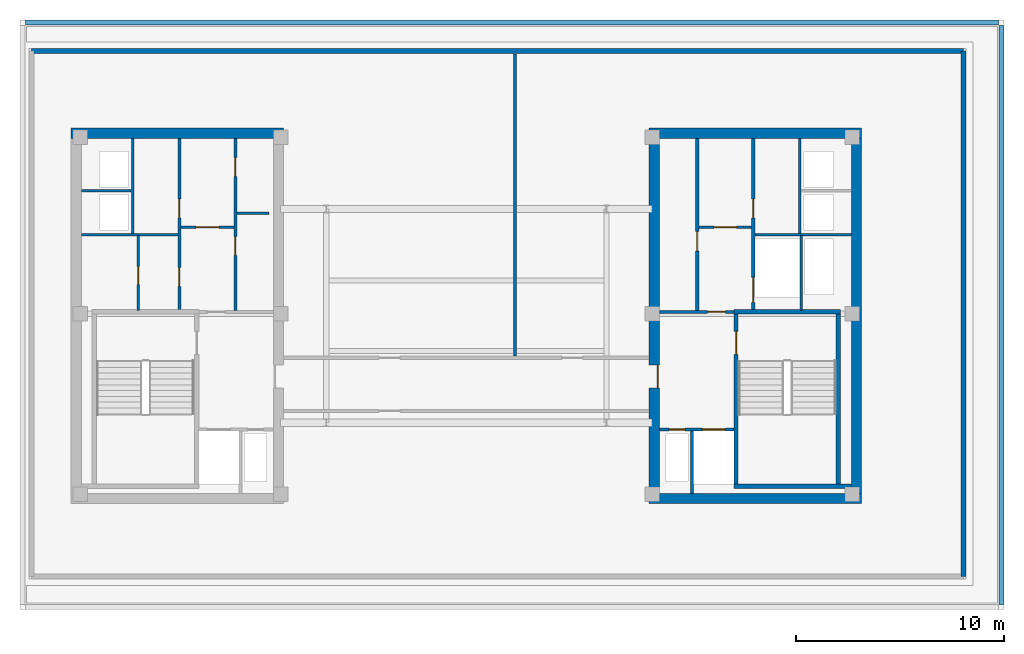
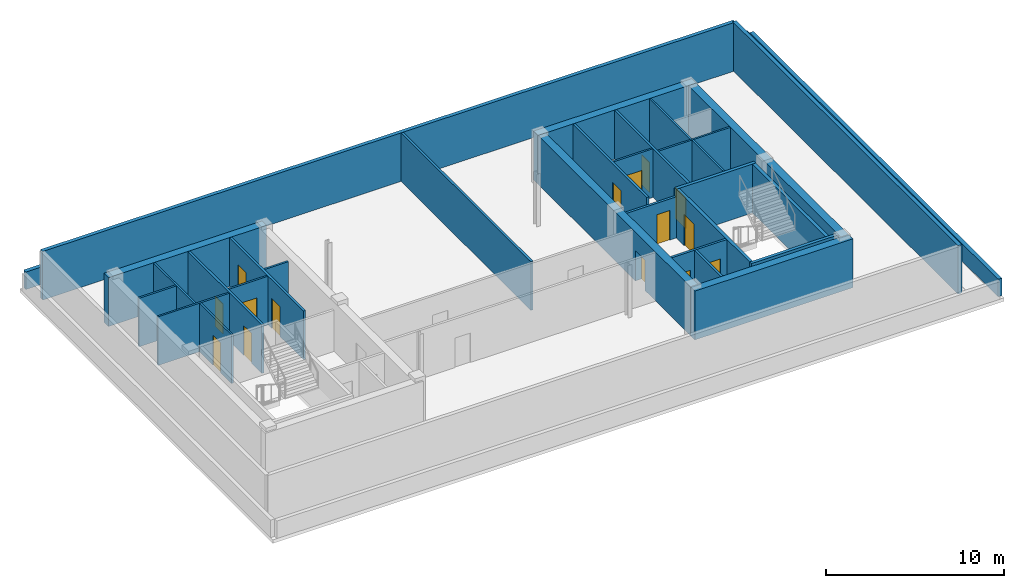
# One storey, part 3 of 7: 31 walls, 15 doors, 15 openings.
"""IFC4 building model written with IfcOpenShell, lengths in metres."""

from ifc_helpers import new_model, si_unit, direction, frame, frame_2d, origin, place, context, subcontext, project, spatial, rectangle, extrude, material, layer, layer_set, type_object, element, fill, save


model = new_model("IFC4")

# Units and contexts
model_context = context("Model", 3, precision=1e-05, world=origin(), true_north=direction((0.0, 1.0)))
body_context = subcontext(model_context, "Body", "Model", "MODEL_VIEW")
ifc_project = project(units=[si_unit("LENGTHUNIT", "METRE"), si_unit("AREAUNIT", "SQUARE_METRE"), si_unit("VOLUMEUNIT", "CUBIC_METRE"), si_unit("PLANEANGLEUNIT", "RADIAN"), si_unit("MASSUNIT", "GRAM", prefix="KILO")], contexts=[model_context])

# Site, building, storey
site_placement = place(None, origin())
site = spatial("IfcSite", under=ifc_project, at=site_placement, CompositionType="ELEMENT")
building_placement = place(site_placement, origin())
building = spatial("IfcBuilding", under=site, at=building_placement, Name="Velakula Bourse", CompositionType="ELEMENT")
storey_placement = place(building_placement, frame((0.0, 0.0, 294.14990234375)))
storey = spatial("IfcBuildingStorey", under=building, at=storey_placement, Name="L80", CompositionType="ELEMENT", Elevation=294.14990234375)

# Wall, opening, door
ifc_material_1 = material(Name="Concrete M50 (fck 50 MPa)", Category="concrete")
ifc_layer_1 = layer(ifc_material_1, 0.2099609375, Name="Concrete M50 (fck 50 MPa)", Category="concrete")
ifc_layer_set_1 = layer_set([ifc_layer_1], Name="Concrete M50 (fck 50 MPa)")
wall_type_1 = type_object("IfcWallType", Name="WL-CORE-210", PredefinedType="SHEAR", material=ifc_layer_set_1)
wall_1_placement = place(storey_placement, frame((12.9951171875, -8.10009765625, 0.0), z_axis=(0.0, 0.0, 1.0), x_axis=(0.0, 1.0, 0.0)))
wall_1 = element("IfcWall", 1, at=wall_1_placement, inside=storey, type_object=wall_type_1, Name="L80 Core E Stairwell Shear Wall IN", PredefinedType="SHEAR", context=body_context, shape_type="SweptSolid", body=[
    extrude(rectangle(XDim=8.2001953125, YDim=0.2099609375, at=frame_2d((4.10009765625, 0.0))), origin(), (0.0, 0.0, 1.0), 3.35009765625),
])
opening_1_placement = place(wall_1_placement, frame((6.25, 0.0, 0.0)))
opening_1 = element("IfcOpeningElement", 2, at=opening_1_placement, cuts=wall_1, Name="Opening D-STE1", PredefinedType="OPENING", context=body_context, shape_type="SweptSolid", body=[
    extrude(rectangle(XDim=1.10009765625, YDim=2.14990234375, at=frame_2d((0.550048828125, 1.074951171875))), frame((0.0, 0.114990234375, 0.0), z_axis=(0.0, -1.0, 0.0), x_axis=(1.0, 0.0, 0.0)), (0.0, 0.0, 1.0), 0.22998046875),
])
ifc_material_2 = material(Name="Galvanised painted hollow steel fire door", Category="steel")
door_type_1 = type_object("IfcDoorType", Name="DR-FD120-1100x2150", OperationType="NOTDEFINED", PredefinedType="DOOR", material=ifc_material_2)
door_1_placement = place(opening_1_placement, origin())
door_1 = element("IfcDoor", 3, at=door_1_placement, inside=storey, type_object=door_type_1, Name="L80 Stair ST-E1 Fire Door", OperationType="SINGLE_SWING_RIGHT", OverallHeight=2.14990234375, OverallWidth=1.10009765625, PredefinedType="DOOR", context=body_context, shape_type="SweptSolid", body=[
    extrude(rectangle(XDim=1.10009765625, YDim=2.14990234375, at=frame_2d((0.550048828125, 1.074951171875))), frame((0.0, 0.02490234375, 0.0), z_axis=(0.0, -1.0, 0.0), x_axis=(1.0, 0.0, 0.0)), (0.0, 0.0, 1.0), 0.050048828125),
])
fill(opening_1, door_1)

# Walls
wall_2_placement = place(storey_placement, frame((17.925048828125, -8.10009765625, 0.0), z_axis=(0.0, 0.0, 1.0), x_axis=(0.0, 1.0, 0.0)))
element("IfcWall", 4, at=wall_2_placement, inside=storey, type_object=wall_type_1, Name="L80 Core E Stairwell Shear Wall OUT", PredefinedType="SHEAR", context=body_context, shape_type="SweptSolid", body=[
    extrude(rectangle(XDim=8.2001953125, YDim=0.2099609375, at=frame_2d((4.10009765625, 0.0))), origin(), (0.0, 0.0, 1.0), 3.35009765625),
])
wall_3_placement = place(storey_placement, frame((12.889892578125, -8.205078125, 0.0), z_axis=(0.0, 0.0, 1.0), x_axis=(1.0, 0.0, 0.0)))
element("IfcWall", 5, at=wall_3_placement, inside=storey, type_object=wall_type_1, Name="L80 Core E Stairwell Shear Wall S", PredefinedType="SHEAR", context=body_context, shape_type="SweptSolid", body=[
    extrude(rectangle(XDim=5.66015625, YDim=0.2099609375, at=frame_2d((2.830078125, 0.0))), origin(), (0.0, 0.0, 1.0), 3.35009765625),
])
wall_4_placement = place(storey_placement, frame((18.030029296875, 0.205078125, 0.0), z_axis=(0.0, 0.0, 1.0), x_axis=(-1.0, 0.0, 0.0)))
element("IfcWall", 6, at=wall_4_placement, inside=storey, type_object=wall_type_1, Name="L80 Core E Stairwell Shear Wall N", PredefinedType="SHEAR", context=body_context, shape_type="SweptSolid", body=[
    extrude(rectangle(XDim=5.14013671875, YDim=0.2099609375, at=frame_2d((2.570068359375, 0.0))), origin(), (0.0, 0.0, 1.0), 3.35009765625),
])
ifc_layer_2 = layer(ifc_material_1, 0.5, Name="Concrete M50 (fck 50 MPa)", Category="concrete")
ifc_layer_set_2 = layer_set([ifc_layer_2], Name="Concrete M50 (fck 50 MPa)")
wall_type_2 = type_object("IfcWallType", Name="WL-CORE-500", PredefinedType="SHEAR", material=ifc_layer_set_2)
for number, where, z_axis, x_axis, name in (
    (7, (-19.050048828125, 8.800048828125, 0.0), (0.0, 0.0, 1.0), (1.0, 0.0, 0.0), "L80 Core W Shear Wall N"),
    (8, (8.800048828125, -8.800048828125, 0.0), (0.0, 0.0, 1.0), (1.0, 0.0, 0.0), "L80 Core E Shear Wall S"),
    (9, (8.800048828125, 8.800048828125, 0.0), (0.0, 0.0, 1.0), (1.0, 0.0, 0.0), "L80 Core E Shear Wall N"),
):
    element("IfcWall", number, at=place(storey_placement, frame(where, z_axis=z_axis, x_axis=x_axis)), inside=storey, type_object=wall_type_2, Name=name, PredefinedType="SHEAR", context=body_context, shape_type="SweptSolid", body=[
        extrude(rectangle(XDim=10.25, YDim=0.5, at=frame_2d((5.125, 0.0))), origin(), (0.0, 0.0, 1.0), 3.35009765625),
    ])

# Wall, opening, door
wall_5_placement = place(storey_placement, frame((9.050048828125, -8.550048828125, 0.0), z_axis=(0.0, 0.0, 1.0), x_axis=(0.0, 1.0, 0.0)))
wall_5 = element("IfcWall", 10, at=wall_5_placement, inside=storey, type_object=wall_type_2, Name="L80 Core E Shear Wall W", PredefinedType="SHEAR", context=body_context, shape_type="SweptSolid", body=[
    extrude(rectangle(XDim=17.10009765625, YDim=0.5, at=frame_2d((8.550048828125, 0.0))), origin(), (0.0, 0.0, 1.0), 3.35009765625),
])
opening_2_placement = place(wall_5_placement, frame((5.080078125, 0.0, 0.0)))
opening_2 = element("IfcOpeningElement", 11, at=opening_2_placement, cuts=wall_5, Name="Opening D-FLE", PredefinedType="OPENING", context=body_context, shape_type="SweptSolid", body=[
    extrude(rectangle(XDim=1.10009765625, YDim=2.080078125, at=frame_2d((0.550048828125, 1.0400390625))), frame((0.0, 0.260009765625, 0.0), z_axis=(0.0, -1.0, 0.0), x_axis=(1.0, 0.0, 0.0)), (0.0, 0.0, 1.0), 0.52001953125),
])
door_type_2 = type_object("IfcDoorType", Name="DR-FD120-1100", OperationType="NOTDEFINED", PredefinedType="DOOR", material=ifc_material_2)
door_2_placement = place(opening_2_placement, origin())
door_2 = element("IfcDoor", 12, at=door_2_placement, inside=storey, type_object=door_type_2, Name="L80 Firefighting Lobby E Corridor Fire Door", OperationType="SINGLE_SWING_RIGHT", OverallHeight=2.080078125, OverallWidth=1.10009765625, PredefinedType="DOOR", context=body_context, shape_type="SweptSolid", body=[
    extrude(rectangle(XDim=1.10009765625, YDim=2.080078125, at=frame_2d((0.550048828125, 1.0400390625))), frame((0.0, -0.15478515625, 0.0), z_axis=(0.0, -1.0, 0.0), x_axis=(1.0, 0.0, 0.0)), (0.0, 0.0, 1.0), 0.050048828125),
])
fill(opening_2, door_2)

# Walls
wall_6_placement = place(storey_placement, frame((18.800048828125, -8.550048828125, 0.0), z_axis=(0.0, 0.0, 1.0), x_axis=(0.0, 1.0, 0.0)))
element("IfcWall", 13, at=wall_6_placement, inside=storey, type_object=wall_type_2, Name="L80 Core E Shear Wall E", PredefinedType="SHEAR", context=body_context, shape_type="SweptSolid", body=[
    extrude(rectangle(XDim=17.10009765625, YDim=0.5, at=frame_2d((8.550048828125, 0.0))), origin(), (0.0, 0.0, 1.0), 3.35009765625),
])
ifc_material_3 = material(Name="Buff kilned clay facing brick masonry", Category="masonry")
ifc_layer_3 = layer(ifc_material_3, 0.239990234375, Name="Buff kilned clay facing brick masonry", Category="masonry")
ifc_layer_set_3 = layer_set([ifc_layer_3], Name="Buff kilned clay facing brick masonry")
wall_type_3 = type_object("IfcWallType", Name="WL-EXT-CRN-240", PredefinedType="STANDARD", material=ifc_layer_set_3)
wall_7_placement = place(storey_placement, frame((23.9599609375, -12.56005859375, 0.0), z_axis=(0.0, 0.0, 1.0), x_axis=(0.0, 1.0, 0.0)))
element("IfcWall", 14, at=wall_7_placement, inside=storey, type_object=wall_type_3, Name="L80 Crown Brick Acoustic Wall E", PredefinedType="STANDARD", context=body_context, shape_type="SweptSolid", body=[
    extrude(rectangle(XDim=25.320068359375, YDim=0.239990234375, at=frame_2d((12.66015625, 0.0))), origin(), (0.0, 0.0, 1.0), 3.330078125),
])
wall_8_placement = place(storey_placement, frame((23.9599609375, 12.760009765625, 0.0), z_axis=(0.0, 0.0, 1.0), x_axis=(-1.0, 0.0, 0.0)))
element("IfcWall", 15, at=wall_8_placement, inside=storey, type_object=wall_type_3, Name="L80 Crown Brick Acoustic Wall N", PredefinedType="STANDARD", context=body_context, shape_type="SweptSolid", body=[
    extrude(rectangle(XDim=44.919921875, YDim=0.239990234375, at=frame_2d((22.4599609375, 0.0))), origin(), (0.0, 0.0, 1.0), 3.330078125),
])
ifc_layer_4 = layer(ifc_material_3, 0.25, Name="Buff kilned clay facing brick masonry", Category="masonry")
ifc_layer_set_4 = layer_set([ifc_layer_4], Name="Buff kilned clay facing brick masonry")
wall_type_4 = type_object("IfcWallType", Name="WL-PAR-ROOF-250", PredefinedType="PARAPET", material=ifc_layer_set_4)
wall_9_placement = place(storey_placement, frame((-21.25, 14.1298828125, 0.0), z_axis=(0.0, 0.0, 1.0), x_axis=(1.0, 0.0, 0.0)))
element("IfcWall", 16, at=wall_9_placement, inside=storey, type_object=wall_type_4, Name="L80 Closed Roof Perimeter Parapet 1", PredefinedType="PARAPET", context=body_context, shape_type="SweptSolid", body=[
    extrude(rectangle(XDim=46.89990234375, YDim=0.25, at=frame_2d((23.449951171875, 0.0))), origin(), (0.0, 0.0, 1.0), 1.2001953125),
])
wall_10_placement = place(storey_placement, frame((25.780029296875, 14.0, 0.0), z_axis=(0.0, 0.0, 1.0), x_axis=(0.0, -1.0, 0.0)))
element("IfcWall", 17, at=wall_10_placement, inside=storey, type_object=wall_type_4, Name="L80 Closed Roof Perimeter Parapet 2", PredefinedType="PARAPET", context=body_context, shape_type="SweptSolid", body=[
    extrude(rectangle(XDim=27.89990234375, YDim=0.25, at=frame_2d((13.949951171875, 0.0))), origin(), (0.0, 0.0, 1.0), 1.2001953125),
])

# Wall, opening, door
ifc_material_4 = material(Name="Fire-rated double-layer gypsum drywall partition", Category="gypsum")
ifc_layer_5 = layer(ifc_material_4, 0.1201171875, Name="Fire-rated double-layer gypsum drywall partition", Category="gypsum")
ifc_layer_set_5 = layer_set([ifc_layer_5], Name="Fire-rated double-layer gypsum drywall partition")
wall_type_5 = type_object("IfcWallType", Name="WL-PART-120", PredefinedType="STANDARD", material=ifc_layer_set_5)
wall_11_placement = place(storey_placement, frame((-13.75, 4.280029296875, 0.0), z_axis=(0.0, 0.0, 1.0), x_axis=(1.0, 0.0, 0.0)))
wall_11 = element("IfcWall", 18, at=wall_11_placement, inside=storey, type_object=wall_type_5, Name="L80 Interior Partition WL-CRW-L80-LL-K2", PredefinedType="STANDARD", context=body_context, shape_type="SweptSolid", body=[
    extrude(rectangle(XDim=2.550048828125, YDim=0.1201171875, at=frame_2d((1.27490234375, 0.0))), origin(), (0.0, 0.0, 1.0), 3.330078125),
])
opening_3_placement = place(wall_11_placement, frame((0.72509765625, 0.0, 0.0)))
opening_3 = element("IfcOpeningElement", 19, at=opening_3_placement, cuts=wall_11, Name="Opening D-LK2", PredefinedType="OPENING", context=body_context, shape_type="SweptSolid", body=[
    extrude(rectangle(XDim=1.10009765625, YDim=2.10009765625, at=frame_2d((0.550048828125, 1.050048828125))), frame((0.0, 0.070068359375, 0.0), z_axis=(0.0, -1.0, 0.0), x_axis=(1.0, 0.0, 0.0)), (0.0, 0.0, 1.0), 0.14013671875),
])
ifc_material_5 = material(Name="Fire-rated hardwood flush architectural door", Category="wood")
door_type_3 = type_object("IfcDoorType", Name="DR-FD60-1100x2100", OperationType="NOTDEFINED", PredefinedType="DOOR", material=ifc_material_5)
door_3_placement = place(opening_3_placement, origin())
door_3 = element("IfcDoor", 20, at=door_3_placement, inside=storey, type_object=door_type_3, Name="L80 Core W Lift Lobby Zone Door", OperationType="SINGLE_SWING_LEFT", OverallHeight=2.10009765625, OverallWidth=1.10009765625, PredefinedType="DOOR", context=body_context, shape_type="SweptSolid", body=[
    extrude(rectangle(XDim=1.10009765625, YDim=2.10009765625, at=frame_2d((0.550048828125, 1.050048828125))), frame((0.0, 0.02490234375, 0.0), z_axis=(0.0, -1.0, 0.0), x_axis=(1.0, 0.0, 0.0)), (0.0, 0.0, 1.0), 0.050048828125),
])
fill(opening_3, door_3)

# Walls
wall_12_placement = place(storey_placement, frame((-11.050048828125, 4.949951171875, 0.0), z_axis=(0.0, 0.0, 1.0), x_axis=(1.0, 0.0, 0.0)))
element("IfcWall", 21, at=wall_12_placement, inside=storey, type_object=wall_type_5, Name="L80 Interior Partition WL-CRW-L80-RCDIV", PredefinedType="STANDARD", context=body_context, shape_type="SweptSolid", body=[
    extrude(rectangle(XDim=1.550048828125, YDim=0.1201171875, at=frame_2d((0.77490234375, 0.0))), origin(), (0.0, 0.0, 1.0), 3.330078125),
])
wall_13_placement = place(storey_placement, frame((-18.550048828125, 3.919921875, 0.0), z_axis=(0.0, 0.0, 1.0), x_axis=(1.0, 0.0, 0.0)))
element("IfcWall", 22, at=wall_13_placement, inside=storey, type_object=wall_type_5, Name="L80 Interior Partition WL-CRW-L80-HI-S", PredefinedType="STANDARD", context=body_context, shape_type="SweptSolid", body=[
    extrude(rectangle(XDim=4.650146484375, YDim=0.1201171875, at=frame_2d((2.3251953125, 0.0))), origin(), (0.0, 0.0, 1.0), 3.330078125),
])
wall_14_placement = place(storey_placement, frame((-18.550048828125, 6.030029296875, 0.0), z_axis=(0.0, 0.0, 1.0), x_axis=(1.0, 0.0, 0.0)))
element("IfcWall", 23, at=wall_14_placement, inside=storey, type_object=wall_type_5, Name="L80 Interior Partition WL-CRW-L80-RIS-MID", PredefinedType="STANDARD", context=body_context, shape_type="SweptSolid", body=[
    extrude(rectangle(XDim=2.400146484375, YDim=0.1201171875, at=frame_2d((1.2001953125, 0.0))), origin(), (0.0, 0.0, 1.0), 3.330078125),
])
wall_15_placement = place(storey_placement, frame((-16.074951171875, 3.97998046875, 0.0), z_axis=(0.0, 0.0, 1.0), x_axis=(0.0, 1.0, 0.0)))
element("IfcWall", 24, at=wall_15_placement, inside=storey, type_object=wall_type_5, Name="L80 Interior Partition WL-CRW-L80-RIS-F", PredefinedType="STANDARD", context=body_context, shape_type="SweptSolid", body=[
    extrude(rectangle(XDim=4.570068359375, YDim=0.1201171875, at=frame_2d((2.28515625, 0.0))), origin(), (0.0, 0.0, 1.0), 3.330078125),
])

# Wall, opening, door
wall_16_placement = place(storey_placement, frame((-15.800048828125, 0.27001953125, 0.0), z_axis=(0.0, 0.0, 1.0), x_axis=(0.0, 1.0, 0.0)))
wall_16 = element("IfcWall", 25, at=wall_16_placement, inside=storey, type_object=wall_type_5, Name="L80 Interior Partition WL-CRW-L80-K2", PredefinedType="STANDARD", context=body_context, shape_type="SweptSolid", body=[
    extrude(rectangle(XDim=3.590087890625, YDim=0.1201171875, at=frame_2d((1.794921875, 0.0))), origin(), (0.0, 0.0, 1.0), 3.330078125),
])
opening_4_placement = place(wall_16_placement, frame((1.25, 0.0, 0.0)))
opening_4 = element("IfcOpeningElement", 26, at=opening_4_placement, cuts=wall_16, Name="Opening D-CE1", PredefinedType="OPENING", context=body_context, shape_type="SweptSolid", body=[
    extrude(rectangle(XDim=0.85009765625, YDim=2.050048828125, at=frame_2d((0.425048828125, 1.02490234375))), frame((0.0, 0.070068359375, 0.0), z_axis=(0.0, -1.0, 0.0), x_axis=(1.0, 0.0, 0.0)), (0.0, 0.0, 1.0), 0.14013671875),
])
door_type_4 = type_object("IfcDoorType", Name="DR-INT-850", OperationType="NOTDEFINED", PredefinedType="DOOR", material=ifc_material_5)
door_4_placement = place(opening_4_placement, origin())
door_4 = element("IfcDoor", 27, at=door_4_placement, inside=storey, type_object=door_type_4, Name="L80 Core Equipment Store Door", OperationType="SINGLE_SWING_RIGHT", OverallHeight=2.050048828125, OverallWidth=0.85009765625, PredefinedType="DOOR", context=body_context, shape_type="SweptSolid", body=[
    extrude(rectangle(XDim=0.85009765625, YDim=2.050048828125, at=frame_2d((0.425048828125, 1.02490234375))), frame((0.0, 0.02490234375, 0.0), z_axis=(0.0, -1.0, 0.0), x_axis=(1.0, 0.0, 0.0)), (0.0, 0.0, 1.0), 0.050048828125),
])
fill(opening_4, door_4)

wall_17_placement = place(storey_placement, frame((11.199951171875, 4.280029296875, 0.0), z_axis=(0.0, 0.0, 1.0), x_axis=(1.0, 0.0, 0.0)))
wall_17 = element("IfcWall", 28, at=wall_17_placement, inside=storey, type_object=wall_type_5, Name="L80 Interior Partition WL-CRE-L80-LL-K2", PredefinedType="STANDARD", context=body_context, shape_type="SweptSolid", body=[
    extrude(rectangle(XDim=2.550048828125, YDim=0.1201171875, at=frame_2d((1.27490234375, 0.0))), origin(), (0.0, 0.0, 1.0), 3.330078125),
])
opening_5_placement = place(wall_17_placement, frame((0.72509765625, 0.0, 0.0)))
opening_5 = element("IfcOpeningElement", 29, at=opening_5_placement, cuts=wall_17, Name="Opening D-LK2", PredefinedType="OPENING", context=body_context, shape_type="SweptSolid", body=[
    extrude(rectangle(XDim=1.10009765625, YDim=2.10009765625, at=frame_2d((0.550048828125, 1.050048828125))), frame((0.0, 0.070068359375, 0.0), z_axis=(0.0, -1.0, 0.0), x_axis=(1.0, 0.0, 0.0)), (0.0, 0.0, 1.0), 0.14013671875),
])
door_5_placement = place(opening_5_placement, origin())
door_5 = element("IfcDoor", 30, at=door_5_placement, inside=storey, type_object=door_type_3, Name="L80 Core E Lift Lobby Zone Door", OperationType="SINGLE_SWING_LEFT", OverallHeight=2.10009765625, OverallWidth=1.10009765625, PredefinedType="DOOR", context=body_context, shape_type="SweptSolid", body=[
    extrude(rectangle(XDim=1.10009765625, YDim=2.10009765625, at=frame_2d((0.550048828125, 1.050048828125))), frame((0.0, 0.02490234375, 0.0), z_axis=(0.0, -1.0, 0.0), x_axis=(1.0, 0.0, 0.0)), (0.0, 0.0, 1.0), 0.050048828125),
])
fill(opening_5, door_5)

# Walls
wall_18_placement = place(storey_placement, frame((13.89990234375, 3.919921875, 0.0), z_axis=(0.0, 0.0, 1.0), x_axis=(1.0, 0.0, 0.0)))
element("IfcWall", 31, at=wall_18_placement, inside=storey, type_object=wall_type_5, Name="L80 Interior Partition WL-CRE-L80-HI-S", PredefinedType="STANDARD", context=body_context, shape_type="SweptSolid", body=[
    extrude(rectangle(XDim=4.650146484375, YDim=0.1201171875, at=frame_2d((2.3251953125, 0.0))), origin(), (0.0, 0.0, 1.0), 3.330078125),
])
wall_19_placement = place(storey_placement, frame((16.074951171875, 3.97998046875, 0.0), z_axis=(0.0, 0.0, 1.0), x_axis=(0.0, 1.0, 0.0)))
element("IfcWall", 32, at=wall_19_placement, inside=storey, type_object=wall_type_5, Name="L80 Interior Partition WL-CRE-L80-RIS-F", PredefinedType="STANDARD", context=body_context, shape_type="SweptSolid", body=[
    extrude(rectangle(XDim=4.570068359375, YDim=0.1201171875, at=frame_2d((2.28515625, 0.0))), origin(), (0.0, 0.0, 1.0), 3.330078125),
])
wall_20_placement = place(storey_placement, frame((16.125, 0.27001953125, 0.0), z_axis=(0.0, 0.0, 1.0), x_axis=(0.0, 1.0, 0.0)))
element("IfcWall", 33, at=wall_20_placement, inside=storey, type_object=wall_type_5, Name="L80 Interior Partition WL-CRE-L80-SVL-E", PredefinedType="STANDARD", context=body_context, shape_type="SweptSolid", body=[
    extrude(rectangle(XDim=3.590087890625, YDim=0.1201171875, at=frame_2d((1.794921875, 0.0))), origin(), (0.0, 0.0, 1.0), 3.330078125),
])

# Wall, openings, doors
ifc_material_6 = material(Name="Autoclaved aerated concrete blockwork masonry", Category="masonry")
ifc_layer_6 = layer(ifc_material_6, 0.14990234375, Name="Autoclaved aerated concrete blockwork masonry", Category="masonry")
ifc_layer_set_6 = layer_set([ifc_layer_6], Name="Autoclaved aerated concrete blockwork masonry")
wall_type_6 = type_object("IfcWallType", Name="WL-SHAFT-150", PredefinedType="STANDARD", material=ifc_layer_set_6)
wall_21_placement = place(storey_placement, frame((-11.125, 0.27001953125, 0.0), z_axis=(0.0, 0.0, 1.0), x_axis=(0.0, 1.0, 0.0)))
wall_21 = element("IfcWall", 34, at=wall_21_placement, inside=storey, type_object=wall_type_6, Name="L80 Interior Partition WL-CRW-L80-BANK-F", PredefinedType="STANDARD", context=body_context, shape_type="SweptSolid", body=[
    extrude(rectangle(XDim=8.280029296875, YDim=0.14990234375, at=frame_2d((4.14013671875, 0.0))), origin(), (0.0, 0.0, 1.0), 3.330078125),
])
opening_6_placement = place(wall_21_placement, frame((2.64990234375, 0.0, 0.0)))
opening_6 = element("IfcOpeningElement", 35, at=opening_6_placement, cuts=wall_21, Name="Opening D-RC1", PredefinedType="OPENING", context=body_context, shape_type="SweptSolid", body=[
    extrude(rectangle(XDim=0.89990234375, YDim=2.050048828125, at=frame_2d((0.449951171875, 1.02490234375))), frame((0.0, 0.0849609375, 0.0), z_axis=(0.0, -1.0, 0.0), x_axis=(1.0, 0.0, 0.0)), (0.0, 0.0, 1.0), 0.169921875),
])
opening_7_placement = place(wall_21_placement, frame((6.449951171875, 0.0, 0.0)))
opening_7 = element("IfcOpeningElement", 36, at=opening_7_placement, cuts=wall_21, Name="Opening D-RC1", PredefinedType="OPENING", context=body_context, shape_type="SweptSolid", body=[
    extrude(rectangle(XDim=0.89990234375, YDim=2.050048828125, at=frame_2d((0.449951171875, 1.02490234375))), frame((0.0, 0.0849609375, 0.0), z_axis=(0.0, -1.0, 0.0), x_axis=(1.0, 0.0, 0.0)), (0.0, 0.0, 1.0), 0.169921875),
])
door_type_5 = type_object("IfcDoorType", Name="DR-FD60-900", OperationType="NOTDEFINED", PredefinedType="DOOR", material=ifc_material_5)
door_6_placement = place(opening_6_placement, origin())
door_6 = element("IfcDoor", 37, at=door_6_placement, inside=storey, type_object=door_type_5, Name="L80 Reclaimed Archive Room Door", OperationType="SINGLE_SWING_RIGHT", OverallHeight=2.050048828125, OverallWidth=0.89990234375, PredefinedType="DOOR", context=body_context, shape_type="SweptSolid", body=[
    extrude(rectangle(XDim=0.89990234375, YDim=2.050048828125, at=frame_2d((0.449951171875, 1.02490234375))), frame((0.0, 0.02490234375, 0.0), z_axis=(0.0, -1.0, 0.0), x_axis=(1.0, 0.0, 0.0)), (0.0, 0.0, 1.0), 0.050048828125),
])
fill(opening_6, door_6)
door_7_placement = place(opening_7_placement, origin())
door_7 = element("IfcDoor", 38, at=door_7_placement, inside=storey, type_object=door_type_5, Name="L80 Reclaimed Registry Store Door", OperationType="SINGLE_SWING_LEFT", OverallHeight=2.050048828125, OverallWidth=0.89990234375, PredefinedType="DOOR", context=body_context, shape_type="SweptSolid", body=[
    extrude(rectangle(XDim=0.89990234375, YDim=2.050048828125, at=frame_2d((0.449951171875, 1.02490234375))), frame((0.0, 0.02490234375, 0.0), z_axis=(0.0, -1.0, 0.0), x_axis=(1.0, 0.0, 0.0)), (0.0, 0.0, 1.0), 0.050048828125),
])
fill(opening_7, door_7)

wall_22_placement = place(storey_placement, frame((-13.824951171875, 0.27001953125, 0.0), z_axis=(0.0, 0.0, 1.0), x_axis=(0.0, 1.0, 0.0)))
wall_22 = element("IfcWall", 39, at=wall_22_placement, inside=storey, type_object=wall_type_6, Name="L80 Interior Partition WL-CRW-L80-OUT-F", PredefinedType="STANDARD", context=body_context, shape_type="SweptSolid", body=[
    extrude(rectangle(XDim=8.280029296875, YDim=0.14990234375, at=frame_2d((4.14013671875, 0.0))), origin(), (0.0, 0.0, 1.0), 3.330078125),
])
opening_8_placement = place(wall_22_placement, frame((4.449951171875, 0.0, 0.0)))
opening_8 = element("IfcOpeningElement", 40, at=opening_8_placement, cuts=wall_22, Name="Opening D-RC3", PredefinedType="OPENING", context=body_context, shape_type="SweptSolid", body=[
    extrude(rectangle(XDim=0.89990234375, YDim=2.050048828125, at=frame_2d((0.449951171875, 1.02490234375))), frame((0.0, 0.0849609375, 0.0), z_axis=(0.0, -1.0, 0.0), x_axis=(1.0, 0.0, 0.0)), (0.0, 0.0, 1.0), 0.169921875),
])
opening_9_placement = place(wall_22_placement, frame((1.14990234375, 0.0, 0.0)))
opening_9 = element("IfcOpeningElement", 41, at=opening_9_placement, cuts=wall_22, Name="Opening D-CP1", PredefinedType="OPENING", context=body_context, shape_type="SweptSolid", body=[
    extrude(rectangle(XDim=0.89990234375, YDim=2.050048828125, at=frame_2d((0.449951171875, 1.02490234375))), frame((0.0, 0.0849609375, 0.0), z_axis=(0.0, -1.0, 0.0), x_axis=(1.0, 0.0, 0.0)), (0.0, 0.0, 1.0), 0.169921875),
])
door_8_placement = place(opening_8_placement, origin())
door_8 = element("IfcDoor", 42, at=door_8_placement, inside=storey, type_object=door_type_5, Name="L80 Crown Lift Machine Plant Room Door", OperationType="SINGLE_SWING_RIGHT", OverallHeight=2.050048828125, OverallWidth=0.89990234375, PredefinedType="DOOR", context=body_context, shape_type="SweptSolid", body=[
    extrude(rectangle(XDim=0.89990234375, YDim=2.050048828125, at=frame_2d((0.449951171875, 1.02490234375))), frame((0.0, 0.02490234375, 0.0), z_axis=(0.0, -1.0, 0.0), x_axis=(1.0, 0.0, 0.0)), (0.0, 0.0, 1.0), 0.050048828125),
])
fill(opening_8, door_8)
door_type_6 = type_object("IfcDoorType", Name="DR-INT-900", OperationType="NOTDEFINED", PredefinedType="DOOR", material=ifc_material_5)
door_9_placement = place(opening_9_placement, origin())
door_9 = element("IfcDoor", 43, at=door_9_placement, inside=storey, type_object=door_type_6, Name="L80 Core Tea Pantry Door", OperationType="SINGLE_SWING_LEFT", OverallHeight=2.050048828125, OverallWidth=0.89990234375, PredefinedType="DOOR", context=body_context, shape_type="SweptSolid", body=[
    extrude(rectangle(XDim=0.89990234375, YDim=2.050048828125, at=frame_2d((0.449951171875, 1.02490234375))), frame((0.0, 0.02490234375, 0.0), z_axis=(0.0, -1.0, 0.0), x_axis=(1.0, 0.0, 0.0)), (0.0, 0.0, 1.0), 0.050048828125),
])
fill(opening_9, door_9)

wall_23_placement = place(storey_placement, frame((9.300048828125, -5.47509765625, 0.0), z_axis=(0.0, 0.0, 1.0), x_axis=(1.0, 0.0, 0.0)))
wall_23 = element("IfcWall", 44, at=wall_23_placement, inside=storey, type_object=wall_type_6, Name="L80 Interior Partition WL-CRE-L80-FFL-N", PredefinedType="STANDARD", context=body_context, shape_type="SweptSolid", body=[
    extrude(rectangle(XDim=3.594970703125, YDim=0.14990234375, at=frame_2d((1.79736328125, 0.0))), origin(), (0.0, 0.0, 1.0), 3.330078125),
])
opening_10_placement = place(wall_23_placement, frame((2.074951171875, 0.0, 0.0)))
opening_10 = element("IfcOpeningElement", 45, at=opening_10_placement, cuts=wall_23, Name="Opening LD-FFL-2", PredefinedType="OPENING", context=body_context, shape_type="SweptSolid", body=[
    extrude(rectangle(XDim=1.10009765625, YDim=2.14990234375, at=frame_2d((0.550048828125, 1.074951171875))), frame((0.0, 0.0849609375, 0.0), z_axis=(0.0, -1.0, 0.0), x_axis=(1.0, 0.0, 0.0)), (0.0, 0.0, 1.0), 0.169921875),
])
opening_11_placement = place(wall_23_placement, frame((0.47509765625, 0.0, 0.0)))
opening_11 = element("IfcOpeningElement", 46, at=opening_11_placement, cuts=wall_23, Name="Opening D-RS1", PredefinedType="OPENING", context=body_context, shape_type="SweptSolid", body=[
    extrude(rectangle(XDim=0.75, YDim=2.050048828125, at=frame_2d((0.375, 1.02490234375))), frame((0.0, 0.0849609375, 0.0), z_axis=(0.0, -1.0, 0.0), x_axis=(1.0, 0.0, 0.0)), (0.0, 0.0, 1.0), 0.169921875),
])
door_type_7 = type_object("IfcDoorType", Name="DR-RISER-800", OperationType="NOTDEFINED", PredefinedType="DOOR", material=ifc_material_2)
door_10_placement = place(opening_11_placement, origin())
door_10 = element("IfcDoor", 47, at=door_10_placement, inside=storey, type_object=door_type_7, Name="L80 Fire Riser Access Door", OperationType="SINGLE_SWING_LEFT", OverallHeight=2.050048828125, OverallWidth=0.75, PredefinedType="DOOR", context=body_context, shape_type="SweptSolid", body=[
    extrude(rectangle(XDim=0.75, YDim=2.050048828125, at=frame_2d((0.375, 1.02490234375))), frame((0.0, 0.02490234375, 0.0), z_axis=(0.0, -1.0, 0.0), x_axis=(1.0, 0.0, 0.0)), (0.0, 0.0, 1.0), 0.050048828125),
])
fill(opening_11, door_10)
ifc_material_7 = material(Name="Brushed grade 316 stainless steel", Category="steel")
door_type_8 = type_object("IfcDoorType", Name="DR-SLIDE-FFL-1100", OperationType="DOUBLE_DOOR_SLIDING", PredefinedType="DOOR", material=ifc_material_7)
door_11_placement = place(opening_10_placement, origin())
door_11 = element("IfcDoor", 48, at=door_11_placement, inside=storey, type_object=door_type_8, Name="L80 Firefighting Lift FFL-2 Sliding Landing Door", OperationType="DOUBLE_DOOR_SLIDING", OverallHeight=2.14990234375, OverallWidth=1.10009765625, PredefinedType="DOOR", context=body_context, shape_type="SweptSolid", body=[
    extrude(rectangle(XDim=1.10009765625, YDim=2.14990234375, at=frame_2d((0.550048828125, 1.074951171875))), frame((0.0, 0.02490234375, 0.0), z_axis=(0.0, -1.0, 0.0), x_axis=(1.0, 0.0, 0.0)), (0.0, 0.0, 1.0), 0.050048828125),
])
fill(opening_10, door_11)

# Wall
wall_24_placement = place(storey_placement, frame((10.875, -8.550048828125, 0.0), z_axis=(0.0, 0.0, 1.0), x_axis=(0.0, 1.0, 0.0)))
element("IfcWall", 49, at=wall_24_placement, inside=storey, type_object=wall_type_6, Name="L80 Interior Partition WL-CRE-L80-FR-DIV", PredefinedType="STANDARD", context=body_context, shape_type="SweptSolid", body=[
    extrude(rectangle(XDim=3.0, YDim=0.14990234375, at=frame_2d((1.5, 0.0))), origin(), (0.0, 0.0, 1.0), 3.330078125),
])

# Wall, opening, door
wall_25_placement = place(storey_placement, frame((9.300048828125, 0.18994140625, 0.0), z_axis=(0.0, 0.0, 1.0), x_axis=(1.0, 0.0, 0.0)))
wall_25 = element("IfcWall", 50, at=wall_25_placement, inside=storey, type_object=wall_type_6, Name="L80 Interior Partition WL-CRE-L80-FF-TOP", PredefinedType="STANDARD", context=body_context, shape_type="SweptSolid", body=[
    extrude(rectangle(XDim=3.58984375, YDim=0.14990234375, at=frame_2d((1.794921875, 0.0))), origin(), (0.0, 0.0, 1.0), 2.8251953125),
])
opening_12_placement = place(wall_25_placement, frame((2.324951171875, 0.0, 0.0)))
opening_12 = element("IfcOpeningElement", 51, at=opening_12_placement, cuts=wall_25, Name="Opening D-FC1", PredefinedType="OPENING", context=body_context, shape_type="SweptSolid", body=[
    extrude(rectangle(XDim=0.85009765625, YDim=2.0400390625, at=frame_2d((0.425048828125, 1.02001953125))), frame((0.0, 0.0849609375, 0.0), z_axis=(0.0, -1.0, 0.0), x_axis=(1.0, 0.0, 0.0)), (0.0, 0.0, 1.0), 0.169921875),
])
door_type_9 = type_object("IfcDoorType", Name="DR-FD120-850", OperationType="NOTDEFINED", PredefinedType="DOOR", material=ifc_material_2)
door_12_placement = place(opening_12_placement, origin())
door_12 = element("IfcDoor", 52, at=door_12_placement, inside=storey, type_object=door_type_9, Name="L80 Firefighting Lobby Link Fire Door", OperationType="SINGLE_SWING_LEFT", OverallHeight=2.0400390625, OverallWidth=0.85009765625, PredefinedType="DOOR", context=body_context, shape_type="SweptSolid", body=[
    extrude(rectangle(XDim=0.85009765625, YDim=2.0400390625, at=frame_2d((0.425048828125, 1.02001953125))), frame((0.0, 0.02490234375, 0.0), z_axis=(0.0, -1.0, 0.0), x_axis=(1.0, 0.0, 0.0)), (0.0, 0.0, 1.0), 0.050048828125),
])
fill(opening_12, door_12)

wall_26_placement = place(storey_placement, frame((11.125, 0.27001953125, 0.0), z_axis=(0.0, 0.0, 1.0), x_axis=(0.0, 1.0, 0.0)))
wall_26 = element("IfcWall", 53, at=wall_26_placement, inside=storey, type_object=wall_type_6, Name="L80 Interior Partition WL-CRE-L80-BANK-F", PredefinedType="STANDARD", context=body_context, shape_type="SweptSolid", body=[
    extrude(rectangle(XDim=8.280029296875, YDim=0.14990234375, at=frame_2d((4.14013671875, 0.0))), origin(), (0.0, 0.0, 1.0), 3.330078125),
])
opening_13_placement = place(wall_26_placement, frame((2.85009765625, 0.0, 0.0)))
opening_13 = element("IfcOpeningElement", 54, at=opening_13_placement, cuts=wall_26, Name="Opening D-RC5", PredefinedType="OPENING", context=body_context, shape_type="SweptSolid", body=[
    extrude(rectangle(XDim=0.949951171875, YDim=2.050048828125, at=frame_2d((0.47509765625, 1.02490234375))), frame((0.0, 0.0849609375, 0.0), z_axis=(0.0, -1.0, 0.0), x_axis=(1.0, 0.0, 0.0)), (0.0, 0.0, 1.0), 0.169921875),
])
door_type_10 = type_object("IfcDoorType", Name="DR-FD60-950x2050", OperationType="NOTDEFINED", PredefinedType="DOOR", material=ifc_material_5)
door_13_placement = place(opening_13_placement, origin())
door_13 = element("IfcDoor", 55, at=door_13_placement, inside=storey, type_object=door_type_10, Name="L80 Reclaimed Multi-Bay Depository Room Door", OperationType="SINGLE_SWING_RIGHT", OverallHeight=2.050048828125, OverallWidth=0.949951171875, PredefinedType="DOOR", context=body_context, shape_type="SweptSolid", body=[
    extrude(rectangle(XDim=0.949951171875, YDim=2.050048828125, at=frame_2d((0.47509765625, 1.02490234375))), frame((0.0, 0.02490234375, 0.0), z_axis=(0.0, -1.0, 0.0), x_axis=(1.0, 0.0, 0.0)), (0.0, 0.0, 1.0), 0.050048828125),
])
fill(opening_13, door_13)

# Wall, openings, doors
wall_27_placement = place(storey_placement, frame((13.824951171875, 0.27001953125, 0.0), z_axis=(0.0, 0.0, 1.0), x_axis=(0.0, 1.0, 0.0)))
wall_27 = element("IfcWall", 56, at=wall_27_placement, inside=storey, type_object=wall_type_6, Name="L80 Interior Partition WL-CRE-L80-OUT-F", PredefinedType="STANDARD", context=body_context, shape_type="SweptSolid", body=[
    extrude(rectangle(XDim=8.280029296875, YDim=0.14990234375, at=frame_2d((4.14013671875, 0.0))), origin(), (0.0, 0.0, 1.0), 3.330078125),
])
opening_14_placement = place(wall_27_placement, frame((4.449951171875, 0.0, 0.0)))
opening_14 = element("IfcOpeningElement", 57, at=opening_14_placement, cuts=wall_27, Name="Opening D-RC3", PredefinedType="OPENING", context=body_context, shape_type="SweptSolid", body=[
    extrude(rectangle(XDim=0.89990234375, YDim=2.050048828125, at=frame_2d((0.449951171875, 1.02490234375))), frame((0.0, 0.0849609375, 0.0), z_axis=(0.0, -1.0, 0.0), x_axis=(1.0, 0.0, 0.0)), (0.0, 0.0, 1.0), 0.169921875),
])
opening_15_placement = place(wall_27_placement, frame((0.3798828125, 0.0, 0.0)))
opening_15 = element("IfcOpeningElement", 58, at=opening_15_placement, cuts=wall_27, Name="Opening LD-SVL1", PredefinedType="OPENING", context=body_context, shape_type="SweptSolid", body=[
    extrude(rectangle(XDim=1.199951171875, YDim=2.10009765625, at=frame_2d((0.60009765625, 1.050048828125))), frame((0.0, 0.0849609375, 0.0), z_axis=(0.0, -1.0, 0.0), x_axis=(1.0, 0.0, 0.0)), (0.0, 0.0, 1.0), 0.169921875),
])
door_14_placement = place(opening_14_placement, origin())
door_14 = element("IfcDoor", 59, at=door_14_placement, inside=storey, type_object=door_type_5, Name="L80 Crown Lift Machine Plant Room Door", OperationType="SINGLE_SWING_LEFT", OverallHeight=2.050048828125, OverallWidth=0.89990234375, PredefinedType="DOOR", context=body_context, shape_type="SweptSolid", body=[
    extrude(rectangle(XDim=0.89990234375, YDim=2.050048828125, at=frame_2d((0.449951171875, 1.02490234375))), frame((0.0, 0.02490234375, 0.0), z_axis=(0.0, -1.0, 0.0), x_axis=(1.0, 0.0, 0.0)), (0.0, 0.0, 1.0), 0.050048828125),
])
fill(opening_14, door_14)
door_type_11 = type_object("IfcDoorType", Name="DR-SLIDE-LD-1200", OperationType="DOUBLE_DOOR_SLIDING", PredefinedType="DOOR", material=ifc_material_7)
door_15_placement = place(opening_15_placement, origin())
door_15 = element("IfcDoor", 60, at=door_15_placement, inside=storey, type_object=door_type_11, Name="L80 Service Lift SVL-1 Sliding Landing Door", OperationType="DOUBLE_DOOR_SLIDING", OverallHeight=2.10009765625, OverallWidth=1.199951171875, PredefinedType="DOOR", context=body_context, shape_type="SweptSolid", body=[
    extrude(rectangle(XDim=1.199951171875, YDim=2.10009765625, at=frame_2d((0.60009765625, 1.050048828125))), frame((0.0, 0.02490234375, 0.0), z_axis=(0.0, -1.0, 0.0), x_axis=(1.0, 0.0, 0.0)), (0.0, 0.0, 1.0), 0.050048828125),
])
fill(opening_15, door_15)

# Wall
wall_28_placement = place(storey_placement, frame((2.35009765625, -1.93994140625, 0.0), z_axis=(0.0, 0.0, 1.0), x_axis=(0.0, 1.0, 0.0)))
element("IfcWall", 61, at=wall_28_placement, inside=storey, type_object=wall_type_6, Name="L80 Interior Partition WL-CRN-L80-DIV", PredefinedType="STANDARD", context=body_context, shape_type="SweptSolid", body=[
    extrude(rectangle(XDim=14.56005859375, YDim=0.14990234375, at=frame_2d((7.280029296875, 0.0))), origin(), (0.0, 0.0, 1.0), 3.330078125),
])

save(model, "model.ifc")
